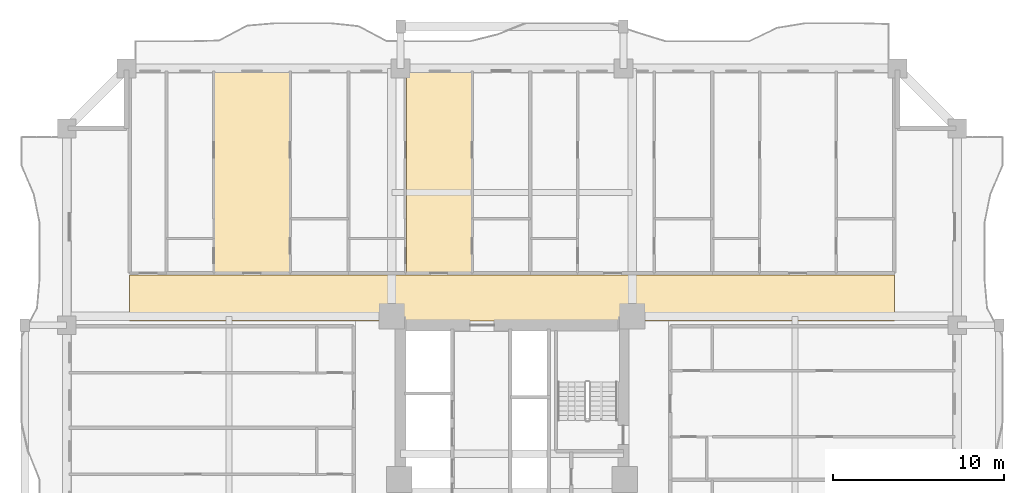
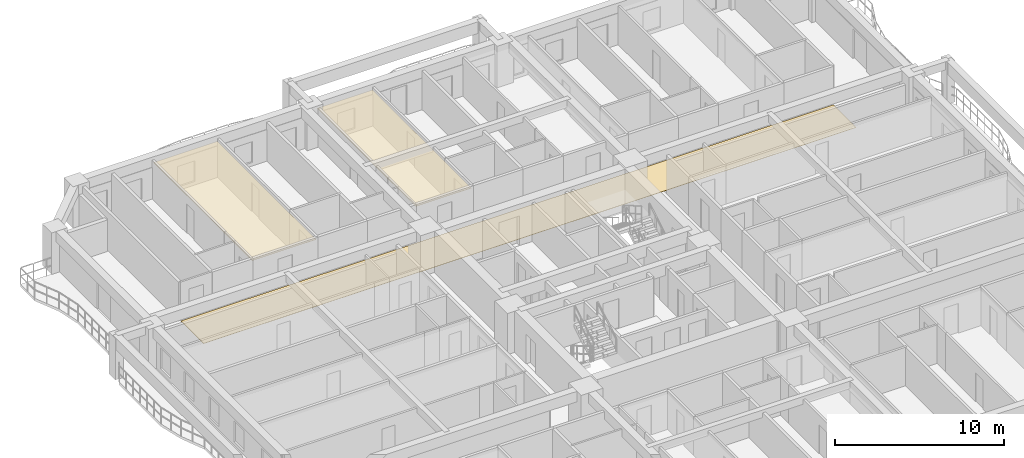
# One storey, part 15 of 16: 3 coverings.
"""IFC4 building model written with IfcOpenShell, lengths in metres."""

import ifcopenshell
import ifcopenshell.guid

model = None  # the IFC model being written
_history = None  # IfcOwnerHistory: only IFC2X3 demands one
_inside = {}  # id of a spatial element -> (the spatial element, [elements in it])
_under = {}  # id of a project, library or spatial element -> (it, [spatial elements below it])
_declared = {}  # id of a project -> (the project, [libraries it declares])
_typed = {}  # id of a type object -> (the type object, [elements of that type])
_made_of = {}  # id of a material, layer set ... -> (it, [elements and type objects made of it])


def new_model(schema):
    """Start an empty IFC model of exactly this schema.

    Asked for "IFC4X3", IfcOpenShell would pick the latest addendum, in which some entities
    have other attributes; the version numbers below select the first issue.
    IFC2X3 requires an IfcOwnerHistory on every rooted entity: one is made here for all.
    """
    global model, _history
    if schema == "IFC4X3":
        model = ifcopenshell.file(schema_version=(4, 3, 0, 0))
    else:
        model = ifcopenshell.file(schema=schema)
    _inside.clear()
    _under.clear()
    _declared.clear()
    _typed.clear()
    _made_of.clear()
    _history = None
    if model.schema == "IFC2X3":
        org = make("IfcOrganization", Name="unknown")
        user = make(
            "IfcPersonAndOrganization",
            ThePerson=make("IfcPerson", FamilyName="unknown"),
            TheOrganization=org,
        )
        app = make(
            "IfcApplication",
            ApplicationDeveloper=org,
            Version="unknown",
            ApplicationFullName="unknown",
            ApplicationIdentifier="unknown",
        )
        _history = make(
            "IfcOwnerHistory",
            OwningUser=user,
            OwningApplication=app,
            ChangeAction="ADDED",
            CreationDate=0,
        )
    return model


def make(cls, **values):
    """One entity of the class cls with the attributes given. An attribute that is None is left unset."""
    return model.create_entity(
        cls, **{name: value for name, value in values.items() if value is not None}
    )


def rooted(cls, **values):
    """An entity with a GlobalId (a new one), such as an element, a storey or a relation."""
    return make(cls, GlobalId=ifcopenshell.guid.new(), OwnerHistory=_history, **values)


def si_unit(unit_type, name, prefix=None):
    """IfcSIUnit, for example si_unit("LENGTHUNIT", "METRE", prefix="MILLI")."""
    return make("IfcSIUnit", UnitType=unit_type, Prefix=prefix, Name=name)


def assignment(units):
    """IfcUnitAssignment: the units of a project."""
    return None if units is None else make("IfcUnitAssignment", Units=units)


def point(xyz):
    """IfcCartesianPoint."""
    return None if xyz is None else make("IfcCartesianPoint", Coordinates=xyz)


def direction(xyz):
    """IfcDirection."""
    return None if xyz is None else make("IfcDirection", DirectionRatios=xyz)


def frame(location, z_axis=None, x_axis=None):
    """IfcAxis2Placement3D, a coordinate frame: its origin and axes. An axis left out is left unset."""
    return make(
        "IfcAxis2Placement3D",
        Location=point(location),
        Axis=direction(z_axis),
        RefDirection=direction(x_axis),
    )


def origin():
    """The frame at (0, 0, 0) with its axes left unset."""
    return frame((0.0, 0.0, 0.0))


def place(relative_to, where):
    """IfcLocalPlacement: puts the frame where relative to a parent placement (None: the world)."""
    return make(
        "IfcLocalPlacement", PlacementRelTo=relative_to, RelativePlacement=where
    )


def context(
    kind, dimensions, precision=None, world=None, true_north=None, identifier=None
):
    """IfcGeometricRepresentationContext, for example the 3D "Model" context."""
    return make(
        "IfcGeometricRepresentationContext",
        ContextIdentifier=identifier,
        ContextType=kind,
        CoordinateSpaceDimension=dimensions,
        Precision=precision,
        WorldCoordinateSystem=world,
        TrueNorth=true_north,
    )


def subcontext(parent, identifier, kind, view, scale=None):
    """IfcGeometricRepresentationSubContext, for example "Body" below "Model"."""
    return make(
        "IfcGeometricRepresentationSubContext",
        ContextIdentifier=identifier,
        ContextType=kind,
        ParentContext=parent,
        TargetScale=scale,
        TargetView=view,
    )


def project(units=None, contexts=None):
    """IfcProject with its units and contexts."""
    return rooted(
        "IfcProject",
        Name="project",
        RepresentationContexts=contexts,
        UnitsInContext=assignment(units),
    )


def spatial(cls, under=None, at=None, **own):
    """A site, building, storey or space (cls), placed at a placement, below another one or the project."""
    s = rooted(cls, ObjectPlacement=at, **own)
    if under is not None:
        _under.setdefault(under.id(), (under, []))[1].append(s)
    return s


def polyline(points):
    """IfcPolyline through the points."""
    return make("IfcPolyline", Points=[point(p) for p in points])


def outline(outer, holes=None, kind="AREA"):
    """IfcArbitraryClosedProfileDef: a profile drawn as a closed curve; with holes, ...WithVoids."""
    if holes is None:
        return make("IfcArbitraryClosedProfileDef", ProfileType=kind, OuterCurve=outer)
    return make(
        "IfcArbitraryProfileDefWithVoids",
        ProfileType=kind,
        OuterCurve=outer,
        InnerCurves=holes,
    )


def extrude(swept, where, along, depth):
    """IfcExtrudedAreaSolid: the profile swept, set in the frame where, extruded along a direction by depth."""
    return make(
        "IfcExtrudedAreaSolid",
        SweptArea=swept,
        Position=where,
        ExtrudedDirection=direction(along),
        Depth=depth,
    )


def shape(context_of_items, identifier, shape_type, items):
    """IfcShapeRepresentation: the items that make up one representation, for example the "Body"."""
    return make(
        "IfcShapeRepresentation",
        ContextOfItems=context_of_items,
        RepresentationIdentifier=identifier,
        RepresentationType=shape_type,
        Items=items,
    )


def material(Name=None, Category=None):
    """IfcMaterial."""
    return make("IfcMaterial", Name=Name, Category=Category)


def layer(
    of_material, thickness, ventilated=None, Name=None, Category=None, Priority=None
):
    """IfcMaterialLayer: one layer of a wall or slab, of a material (None: an air gap)."""
    return make(
        "IfcMaterialLayer",
        Material=of_material,
        LayerThickness=thickness,
        IsVentilated=ventilated,
        Name=Name,
        Category=Category,
        Priority=Priority,
    )


def layer_set(layers, Name=None):
    """IfcMaterialLayerSet."""
    return make("IfcMaterialLayerSet", MaterialLayers=layers, LayerSetName=Name)


def made_of(thing, what):
    """Note that an element or type object is made of a material, layer set ...; save() writes the relation."""
    if what is not None:
        _made_of.setdefault(what.id(), (what, []))[1].append(thing)
    return thing


def type_object(cls, material=None, **own):
    """A type object (cls), such as IfcWallType, which elements share."""
    return made_of(rooted(cls, **own), material)


def element(
    cls,
    number,
    at=None,
    inside=None,
    cuts=None,
    type_object=None,
    material=None,
    context=None,
    identifier="Body",
    shape_type=None,
    held_by="IfcProductDefinitionShape",
    body=None,
    shapes=None,
    **own,
):
    """One element of the class cls, such as IfcWall. Its Tag is "e" and its number.

    at: its placement. inside: the storey or other place that contains it. cuts: it is an
    opening in that element (IfcRelVoidsElement). A single representation is given by context,
    identifier, shape_type and body (its items); several are given by shapes. held_by: the class
    of the entity that holds the representations. save() writes the other relations.
    """
    e = rooted(cls, Tag="e%d" % number, ObjectPlacement=at, **own)
    if body is not None:
        shapes = [shape(context, identifier, shape_type, body)]
    if shapes is not None:
        e.Representation = make(held_by, Representations=shapes)
    if inside is not None:
        _inside.setdefault(inside.id(), (inside, []))[1].append(e)
    if cuts is not None:
        rooted(
            "IfcRelVoidsElement", RelatingBuildingElement=cuts, RelatedOpeningElement=e
        )
    if type_object is not None:
        _typed.setdefault(type_object.id(), (type_object, []))[1].append(e)
    return made_of(e, material)


def aggregate(whole, parts):
    """IfcRelAggregates: a whole, such as a stair, and the parts it consists of."""
    return rooted("IfcRelAggregates", RelatingObject=whole, RelatedObjects=parts)


def save(model, path):
    """Write the relations noted so far, then the file.

    IfcRelAggregates (storeys below a building ...), IfcRelContainedInSpatialStructure (elements
    in a storey), IfcRelDefinesByType, IfcRelAssociatesMaterial and IfcRelDeclares: one each for
    every whole, place, type object, material and project.
    """
    for whole, parts in _under.values():
        aggregate(whole, parts)
    for where, things in _inside.values():
        rooted(
            "IfcRelContainedInSpatialStructure",
            RelatedElements=things,
            RelatingStructure=where,
        )
    for kind, things in _typed.values():
        rooted("IfcRelDefinesByType", RelatedObjects=things, RelatingType=kind)
    for what, things in _made_of.values():
        rooted("IfcRelAssociatesMaterial", RelatedObjects=things, RelatingMaterial=what)
    for by, libraries in _declared.values():
        rooted("IfcRelDeclares", RelatingContext=by, RelatedDefinitions=libraries)
    model.write(path)


model = new_model("IFC4")

# Units and contexts
model_context = context("Model", 3, precision=1e-05, world=origin(), true_north=direction((0.0, 1.0)))
body_context = subcontext(model_context, "Body", "Model", "MODEL_VIEW")
ifc_project = project(units=[si_unit("LENGTHUNIT", "METRE"), si_unit("AREAUNIT", "SQUARE_METRE"), si_unit("VOLUMEUNIT", "CUBIC_METRE"), si_unit("PLANEANGLEUNIT", "RADIAN"), si_unit("MASSUNIT", "GRAM", prefix="KILO")], contexts=[model_context])

# Site, building, storey
site_placement = place(None, origin())
site = spatial("IfcSite", under=ifc_project, at=site_placement, CompositionType="ELEMENT")
building_placement = place(site_placement, origin())
building = spatial("IfcBuilding", under=site, at=building_placement, Name="Saelheon Loggia Tower", CompositionType="ELEMENT")
storey_placement = place(building_placement, frame((0.0, 0.0, 31.39990234375)))
storey = spatial("IfcBuildingStorey", under=building, at=storey_placement, Name="L09", CompositionType="ELEMENT", Elevation=31.39990234375)

# Coverings
ifc_material_1 = material(Name="Mineral-Fibre Acoustic Ceiling Board", Category="gypsum")
ifc_layer_1 = layer(ifc_material_1, 0.02490234375)
ifc_layer_set_1 = layer_set([ifc_layer_1], Name="Mineral-Fibre Acoustic Ceiling Board")
covering_type_1 = type_object("IfcCoveringType", Name="Cov_Ceiling_Acoustic", PredefinedType="CEILING", material=ifc_layer_set_1)
covering_1_placement = place(storey_placement, frame((0.0, 0.0, 2.53515625)))
element("IfcCovering", 1, at=covering_1_placement, inside=storey, type_object=covering_type_1, Name="L09 Acoustic Suspended Ceiling", PredefinedType="CEILING", context=body_context, shape_type="SweptSolid", body=[
    extrude(outline(polyline([(20.641845703125, 39.10009765625), (25.00341796875, 39.10009765625), (25.00341796875, 50.800048828125), (20.641845703125, 50.800048828125), (20.641845703125, 39.10009765625)])), origin(), (0.0, 0.0, 1.0), 0.02490234375),
])
covering_2_placement = place(storey_placement, frame((0.0, 0.0, 2.53515625)))
element("IfcCovering", 2, at=covering_2_placement, inside=storey, type_object=covering_type_1, Name="L09 Acoustic Suspended Ceiling", PredefinedType="CEILING", context=body_context, shape_type="SweptSolid", body=[
    extrude(outline(polyline([(31.830078125, 39.10009765625), (35.625732421875, 39.10009765625), (35.625732421875, 50.800048828125), (31.830078125, 50.800048828125), (31.830078125, 39.10009765625)])), origin(), (0.0, 0.0, 1.0), 0.02490234375),
])
ifc_material_2 = material(Name="Vitrified Porcelain Floor Tile", Category="ceramic")
ifc_layer_2 = layer(ifc_material_2, 0.02001953125)
ifc_layer_set_2 = layer_set([ifc_layer_2], Name="Vitrified Porcelain Floor Tile")
covering_type_2 = type_object("IfcCoveringType", Name="Cov_Floor_Porcelain", PredefinedType="FLOORING", material=ifc_layer_set_2)
covering_3_placement = place(storey_placement, origin())
element("IfcCovering", 3, at=covering_3_placement, inside=storey, type_object=covering_type_2, Name="L09 Corridor Porcelain Flooring", PredefinedType="FLOORING", context=body_context, shape_type="SweptSolid", body=[
    extrude(outline(polyline([(15.679931640625, 36.25), (60.320068359375, 36.25), (60.320068359375, 38.949951171875), (15.679931640625, 38.949951171875), (15.679931640625, 36.25)])), origin(), (0.0, 0.0, 1.0), 0.02001953125),
])

save(model, "model.ifc")
